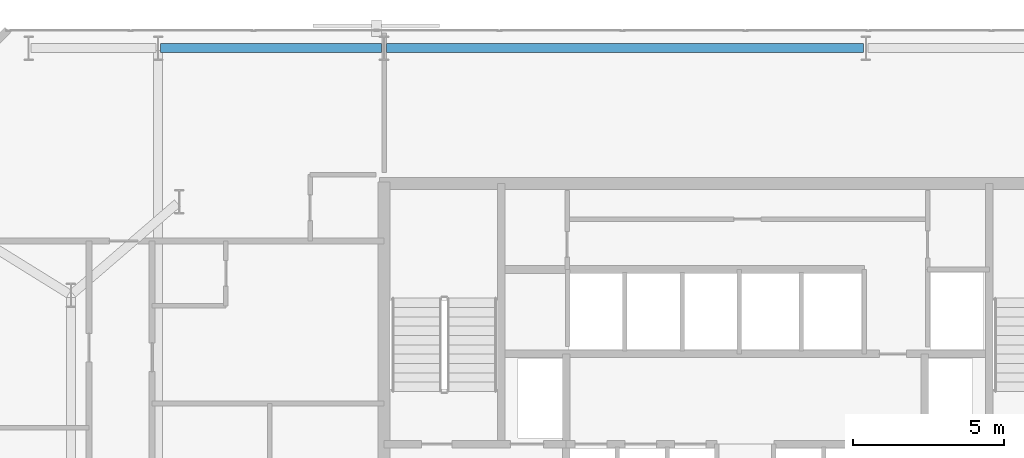
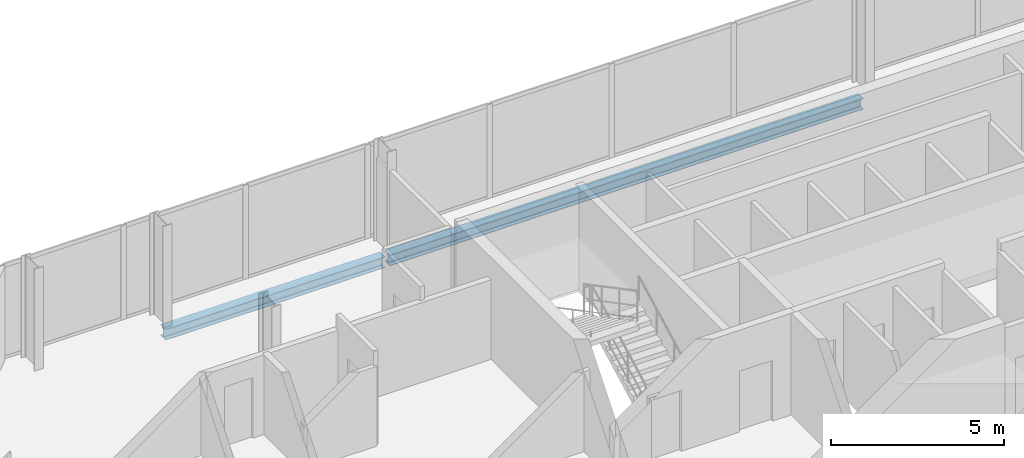
# One storey, part 21 of 33: 2 beams.
"""IFC4 building model written with IfcOpenShell, lengths in metres."""

from ifc_helpers import new_model, si_unit, direction, frame, origin, origin_2d, place, context, subcontext, project, spatial, i_section, extrude, material, material_profile, profile_set, type_object, element, save


model = new_model("IFC4")

# Units and contexts
model_context = context("Model", 3, precision=1e-05, world=origin(), true_north=direction((0.0, 1.0)))
body_context = subcontext(model_context, "Body", "Model", "MODEL_VIEW")
ifc_project = project(units=[si_unit("LENGTHUNIT", "METRE"), si_unit("AREAUNIT", "SQUARE_METRE"), si_unit("VOLUMEUNIT", "CUBIC_METRE"), si_unit("PLANEANGLEUNIT", "RADIAN"), si_unit("MASSUNIT", "GRAM", prefix="KILO")], contexts=[model_context])

# Site, building, storey
site_placement = place(None, origin())
site = spatial("IfcSite", under=ifc_project, at=site_placement, CompositionType="ELEMENT")
building_placement = place(site_placement, origin())
building = spatial("IfcBuilding", under=site, at=building_placement, Name="Catumbela Crestline Tower", CompositionType="ELEMENT")
storey_placement = place(building_placement, frame((0.0, 0.0, 47.4)))
storey = spatial("IfcBuildingStorey", under=building, at=storey_placement, Name="L11", CompositionType="ELEMENT", Elevation=47.4)

# Beams
ifc_material = material(Name="Structural steel S355J2", Category="steel")
ifc_material_profile = material_profile(ifc_material, i_section(OverallWidth=0.3, OverallDepth=0.39, WebThickness=0.011, FlangeThickness=0.019, FilletRadius=0.027, at=origin_2d()), Name="HEA 400")
ifc_profile_set = profile_set([ifc_material_profile], Name="Structural steel S355J2")
beam_type = type_object("IfcBeamType", Name="BS-HEA400", PredefinedType="SPANDREL", material=ifc_profile_set)
beam_1_placement = place(storey_placement, frame((8.58, 47.4, -0.455), z_axis=(1.0, 0.0, 0.0), x_axis=(0.0, 1.0, 0.0)))
element("IfcBeam", 1, at=beam_1_placement, inside=storey, type_object=beam_type, Name="L11 Spandrel SP-L11-NF20", PredefinedType="SPANDREL", context=body_context, shape_type="SweptSolid", body=[
    extrude(i_section(OverallWidth=0.3, OverallDepth=0.39, WebThickness=0.011, FlangeThickness=0.019, FilletRadius=0.027, at=origin_2d()), origin(), (0.0, 0.0, 1.0), 7.34),
])
beam_2_placement = place(storey_placement, frame((16.08, 47.4, -0.455), z_axis=(1.0, 0.0, 0.0), x_axis=(0.0, 1.0, 0.0)))
element("IfcBeam", 2, at=beam_2_placement, inside=storey, type_object=beam_type, Name="L11 Spandrel SP-L11-NF21", PredefinedType="SPANDREL", context=body_context, shape_type="SweptSolid", body=[
    extrude(i_section(OverallWidth=0.3, OverallDepth=0.39, WebThickness=0.011, FlangeThickness=0.019, FilletRadius=0.027, at=origin_2d()), origin(), (0.0, 0.0, 1.0), 15.84),
])

save(model, "model.ifc")
